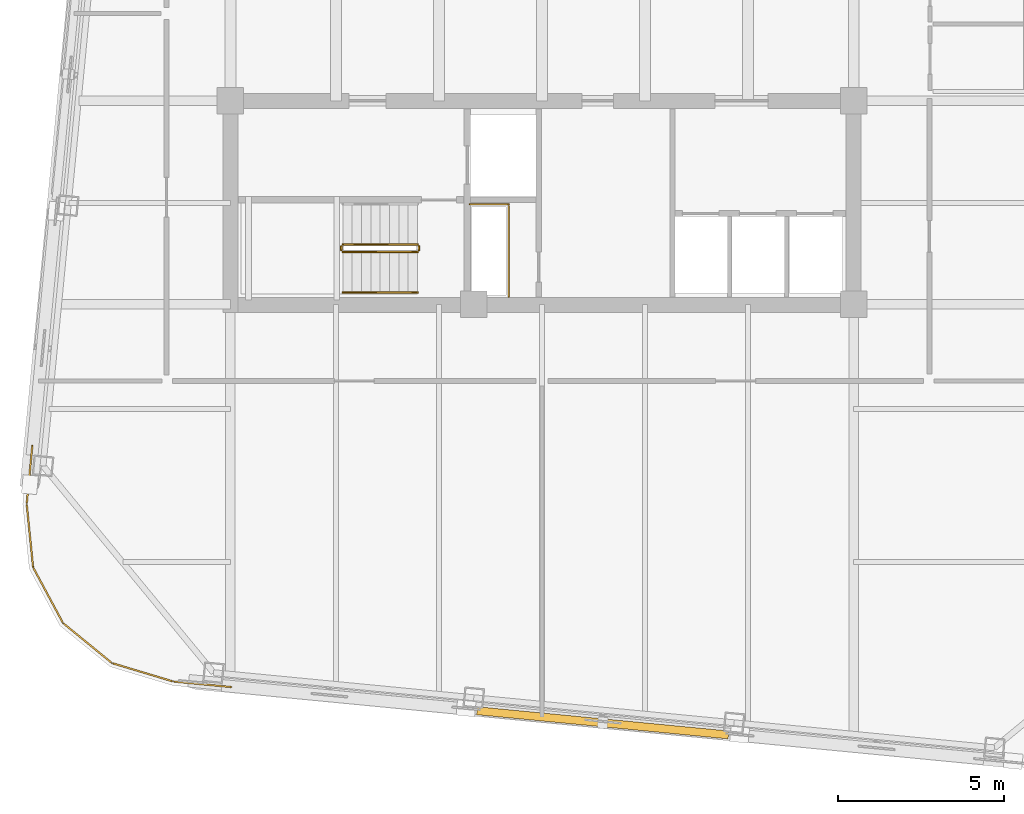
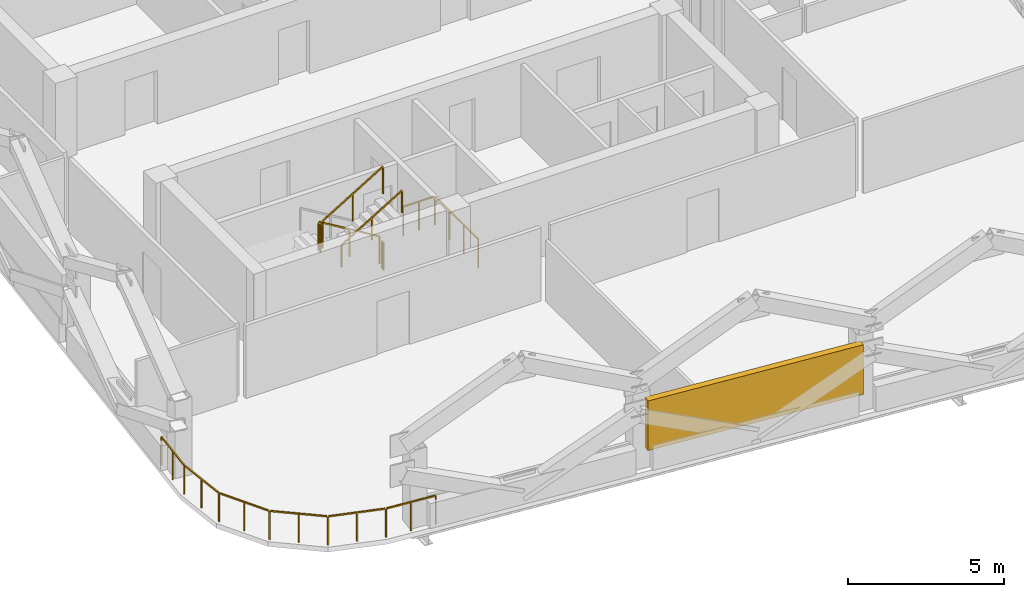
# One storey, part 7 of 10: 7 railings, 1 shading device.
"""IFC4 building model written with IfcOpenShell, lengths in metres."""

from ifc_helpers import new_model, si_unit, direction, frame, origin, origin_2d, place, context, subcontext, project, spatial, rectangle, extrude, material, type_object, element, save


model = new_model("IFC4")

# Units and contexts
model_context = context("Model", 3, precision=1e-05, world=origin(), true_north=direction((0.0, 1.0)))
body_context = subcontext(model_context, "Body", "Model", "MODEL_VIEW")
ifc_project = project(units=[si_unit("LENGTHUNIT", "METRE"), si_unit("AREAUNIT", "SQUARE_METRE"), si_unit("VOLUMEUNIT", "CUBIC_METRE"), si_unit("PLANEANGLEUNIT", "RADIAN"), si_unit("MASSUNIT", "GRAM", prefix="KILO")], contexts=[model_context])

# Site, building, storey
site_placement = place(None, origin())
site = spatial("IfcSite", under=ifc_project, at=site_placement, CompositionType="ELEMENT")
building_placement = place(site_placement, origin())
building = spatial("IfcBuilding", under=site, at=building_placement, Name="Qhalaya Broadcast Tower", CompositionType="ELEMENT")
storey_placement = place(building_placement, frame((0.0, 0.0, 267.25)))
storey = spatial("IfcBuildingStorey", under=building, at=storey_placement, Name="L79", CompositionType="ELEMENT", Elevation=267.25)

# Railings
ifc_material_1 = material(Name="Powder-Coated Galvanised Steel", Category="steel")
railing_type_1 = type_object("IfcRailingType", Name="Stair Wall Handrail 900", PredefinedType="HANDRAIL", material=ifc_material_1)
railing_1_placement = place(storey_placement, frame((-5.989990234375, -8.389892578125, 1.6943359375)))
element("IfcRailing", 1, at=railing_1_placement, inside=storey, type_object=railing_type_1, Name="L79 ST-2 Stair Handrail 2", PredefinedType="HANDRAIL", context=body_context, shape_type="SweptSolid", body=[
    extrude(rectangle(XDim=0.048095703125, YDim=0.048095703125, at=origin_2d()), frame((0.0, 0.0, 0.8759765625), z_axis=(0.855512035549, 0.0, 0.517782924622), x_axis=(0.0, 1.0, 0.0)), (0.0, 0.0, 1.0), 2.618408203125),
    extrude(rectangle(XDim=0.0419921875, YDim=0.0419921875, at=origin_2d()), origin(), (0.0, 0.0, 1.0), 0.849853515625),
    extrude(rectangle(XDim=0.0419921875, YDim=0.0419921875, at=origin_2d()), frame((1.1201171875, 0.0, 0.677734375)), (0.0, 0.0, 1.0), 0.849853515625),
    extrude(rectangle(XDim=0.0419921875, YDim=0.0419921875, at=origin_2d()), frame((2.239990234375, 0.0, 1.355712890625)), (0.0, 0.0, 1.0), 0.849853515625),
])
railing_type_2 = type_object("IfcRailingType", Name="Stair Well & Landing Guardrail 1100", PredefinedType="GUARDRAIL", material=ifc_material_1)
railing_2_placement = place(storey_placement, frame((-1.0, -8.52001953125, 0.0)))
element("IfcRailing", 2, at=railing_2_placement, inside=storey, type_object=railing_type_2, Name="L79 Service Riser Opening Safety Guard SRSR", PredefinedType="GUARDRAIL", context=body_context, shape_type="SweptSolid", body=[
    extrude(rectangle(XDim=0.048095703125, YDim=0.048095703125, at=origin_2d()), frame((0.0, 0.0, 1.1259765625), z_axis=(0.0, 1.0, 0.0), x_axis=(-1.0, 0.0, 0.0)), (0.0, 0.0, 1.0), 2.751220703125),
    extrude(rectangle(XDim=0.048095703125, YDim=0.048095703125, at=origin_2d()), frame((-0.02880859375, 2.780029296875, 1.1259765625), z_axis=(-1.0, 0.0, 0.0), x_axis=(0.0, -1.0, 0.0)), (0.0, 0.0, 1.0), 1.151123046875),
    extrude(rectangle(XDim=0.0419921875, YDim=0.0419921875, at=origin_2d()), origin(), (0.0, 0.0, 1.0), 1.099853515625),
    extrude(rectangle(XDim=0.0419921875, YDim=0.0419921875, at=origin_2d()), frame((0.0, 0.9267578125, 0.0)), (0.0, 0.0, 1.0), 1.099853515625),
    extrude(rectangle(XDim=0.0419921875, YDim=0.0419921875, at=origin_2d()), frame((0.0, 1.853271484375, 0.0)), (0.0, 0.0, 1.0), 1.099853515625),
    extrude(rectangle(XDim=0.0419921875, YDim=0.0419921875, at=origin_2d()), frame((0.0, 2.780029296875, 0.0)), (0.0, 0.0, 1.0), 1.099853515625),
    extrude(rectangle(XDim=0.0419921875, YDim=0.0419921875, at=origin_2d()), frame((-0.58984375, 2.780029296875, 0.0)), (0.0, 0.0, 1.0), 1.099853515625),
    extrude(rectangle(XDim=0.0419921875, YDim=0.0419921875, at=origin_2d()), frame((-1.179931640625, 2.780029296875, 0.0)), (0.0, 0.0, 1.0), 1.099853515625),
])
railing_3_placement = place(storey_placement, frame((-3.75, -6.949951171875, 0.16943359375)))
element("IfcRailing", 3, at=railing_3_placement, inside=storey, type_object=railing_type_2, Name="L79 ST-2 Stair Guard 1", PredefinedType="GUARDRAIL", context=body_context, shape_type="SweptSolid", body=[
    extrude(rectangle(XDim=0.048095703125, YDim=0.048095703125, at=origin_2d()), frame((0.0, 0.0, 1.076171875), z_axis=(-0.855553338991, 0.0, 0.51771467445), x_axis=(0.0, -1.0, 0.0)), (0.0, 0.0, 1.0), 2.6181640625),
    extrude(rectangle(XDim=0.0419921875, YDim=0.0419921875, at=origin_2d()), origin(), (0.0, 0.0, 1.0), 1.050048828125),
    extrude(rectangle(XDim=0.0419921875, YDim=0.0419921875, at=origin_2d()), frame((-1.1201171875, 0.0, 0.677734375)), (0.0, 0.0, 1.0), 1.050048828125),
    extrude(rectangle(XDim=0.0419921875, YDim=0.0419921875, at=origin_2d()), frame((-2.239990234375, 0.0, 1.35546875)), (0.0, 0.0, 1.0), 1.050048828125),
])
railing_4_placement = place(storey_placement, frame((-6.0400390625, -7.0, 1.52490234375)))
element("IfcRailing", 4, at=railing_4_placement, inside=storey, type_object=railing_type_2, Name="L79 ST-2 Stair Guard 2", PredefinedType="GUARDRAIL", context=body_context, shape_type="SweptSolid", body=[
    extrude(rectangle(XDim=0.048095703125, YDim=0.048095703125, at=origin_2d()), frame((0.0, 0.0, 1.076171875), z_axis=(0.0, -1.0, 0.0), x_axis=(1.0, 0.0, 0.0)), (0.0, 0.0, 1.0), 0.1201171875),
    extrude(rectangle(XDim=0.0419921875, YDim=0.0419921875, at=origin_2d()), origin(), (0.0, 0.0, 1.0), 1.050048828125),
    extrude(rectangle(XDim=0.0419921875, YDim=0.0419921875, at=origin_2d()), frame((0.0, -0.1201171875, 0.0)), (0.0, 0.0, 1.0), 1.050048828125),
])
railing_5_placement = place(storey_placement, frame((-5.989990234375, -7.169921875, 1.6943359375)))
element("IfcRailing", 5, at=railing_5_placement, inside=storey, type_object=railing_type_2, Name="L79 ST-2 Stair Guard 3", PredefinedType="GUARDRAIL", context=body_context, shape_type="SweptSolid", body=[
    extrude(rectangle(XDim=0.048095703125, YDim=0.048095703125, at=origin_2d()), frame((0.0, 0.0, 1.076171875), z_axis=(0.855512035549, 0.0, 0.517782924622), x_axis=(0.0, 1.0, 0.0)), (0.0, 0.0, 1.0), 2.618408203125),
    extrude(rectangle(XDim=0.0419921875, YDim=0.0419921875, at=origin_2d()), origin(), (0.0, 0.0, 1.0), 1.050048828125),
    extrude(rectangle(XDim=0.0419921875, YDim=0.0419921875, at=origin_2d()), frame((1.1201171875, 0.0, 0.677734375)), (0.0, 0.0, 1.0), 1.050048828125),
    extrude(rectangle(XDim=0.0419921875, YDim=0.0419921875, at=origin_2d()), frame((2.239990234375, 0.0, 1.355712890625)), (0.0, 0.0, 1.0), 1.050048828125),
])
railing_6_placement = place(storey_placement, frame((-3.699951171875, -7.0, 0.0)))
element("IfcRailing", 6, at=railing_6_placement, inside=storey, type_object=railing_type_2, Name="L79 ST-2 Stair Guard 4", PredefinedType="GUARDRAIL", context=body_context, shape_type="SweptSolid", body=[
    extrude(rectangle(XDim=0.048095703125, YDim=0.048095703125, at=origin_2d()), frame((0.0, 0.0, 1.076171875), z_axis=(0.0, -1.0, 0.0), x_axis=(1.0, 0.0, 0.0)), (0.0, 0.0, 1.0), 0.1201171875),
    extrude(rectangle(XDim=0.0419921875, YDim=0.0419921875, at=origin_2d()), origin(), (0.0, 0.0, 1.0), 1.050048828125),
    extrude(rectangle(XDim=0.0419921875, YDim=0.0419921875, at=origin_2d()), frame((0.0, -0.1201171875, 0.0)), (0.0, 0.0, 1.0), 1.050048828125),
])
railing_type_3 = type_object("IfcRailingType", Name="Terrace, Sky-Pool & Lookout Glass Balustrade 1150", PredefinedType="BALUSTRADE", material=ifc_material_1)
railing_7_placement = place(storey_placement, frame((-9.35400390625, -20.260986328125, 0.0)))
element("IfcRailing", 7, at=railing_7_placement, inside=storey, type_object=railing_type_3, Name="L79 Rounded Corner Perimeter Guard 02", PredefinedType="BALUSTRADE", context=body_context, shape_type="SweptSolid", body=[
    extrude(rectangle(XDim=0.048095703125, YDim=0.048095703125, at=origin_2d()), frame((0.0, 0.0, 1.1259765625), z_axis=(-0.99540189436, 0.09578657894, 0.0), x_axis=(-0.09578657894, -0.99540189436, 0.0)), (0.0, 0.0, 1.0), 1.727294921875),
    extrude(rectangle(XDim=0.048095703125, YDim=0.048095703125, at=origin_2d()), frame((-1.775634765625, 0.176513671875, 1.1259765625), z_axis=(-0.957601447485, 0.288096282124, 0.0), x_axis=(-0.288096282124, -0.957601447485, 0.0)), (0.0, 0.0, 1.0), 1.857421875),
    extrude(rectangle(XDim=0.048095703125, YDim=0.048095703125, at=origin_2d()), frame((-3.6044921875, 0.73828125, 1.1259765625), z_axis=(-0.774357190213, 0.63274871945, 0.0), x_axis=(-0.63274871945, -0.774357190213, 0.0)), (0.0, 0.0, 1.0), 1.845703125),
    extrude(rectangle(XDim=0.048095703125, YDim=0.048095703125, at=origin_2d()), frame((-5.069580078125, 1.94970703125, 1.1259765625), z_axis=(-0.473342342286, 0.880878554058, 0.0), x_axis=(-0.880878554058, -0.473342342286, 0.0)), (0.0, 0.0, 1.0), 1.845458984375),
    extrude(rectangle(XDim=0.048095703125, YDim=0.048095703125, at=origin_2d()), frame((-5.959716796875, 3.629638671875, 1.1259765625), z_axis=(-0.100071682341, 0.994980230152, 0.0), x_axis=(-0.994980230152, -0.100071682341, 0.0)), (0.0, 0.0, 1.0), 1.857421875),
    extrude(rectangle(XDim=0.048095703125, YDim=0.048095703125, at=origin_2d()), frame((-6.145751953125, 5.53515625, 1.1259765625), z_axis=(0.09578657894, 0.99540189436, 0.0), x_axis=(-0.99540189436, 0.09578657894, 0.0)), (0.0, 0.0, 1.0), 1.727294921875),
    extrude(rectangle(XDim=0.0419921875, YDim=0.0419921875, at=origin_2d()), origin(), (0.0, 0.0, 1.0), 1.099853515625),
    extrude(rectangle(XDim=0.0419921875, YDim=0.0419921875, at=origin_2d()), frame((-0.8740234375, 0.083984375, 0.0)), (0.0, 0.0, 1.0), 1.099853515625),
    extrude(rectangle(XDim=0.0419921875, YDim=0.0419921875, at=origin_2d()), frame((-1.748046875, 0.168212890625, 0.0)), (0.0, 0.0, 1.0), 1.099853515625),
    extrude(rectangle(XDim=0.0419921875, YDim=0.0419921875, at=origin_2d()), frame((-2.6650390625, 0.444091796875, 0.0)), (0.0, 0.0, 1.0), 1.099853515625),
    extrude(rectangle(XDim=0.0419921875, YDim=0.0419921875, at=origin_2d()), frame((-3.58203125, 0.719970703125, 0.0)), (0.0, 0.0, 1.0), 1.099853515625),
    extrude(rectangle(XDim=0.0419921875, YDim=0.0419921875, at=origin_2d()), frame((-4.31884765625, 1.322265625, 0.0)), (0.0, 0.0, 1.0), 1.099853515625),
    extrude(rectangle(XDim=0.0419921875, YDim=0.0419921875, at=origin_2d()), frame((-5.055908203125, 1.92431640625, 0.0)), (0.0, 0.0, 1.0), 1.099853515625),
    extrude(rectangle(XDim=0.0419921875, YDim=0.0419921875, at=origin_2d()), frame((-5.50634765625, 2.7626953125, 0.0)), (0.0, 0.0, 1.0), 1.099853515625),
    extrude(rectangle(XDim=0.0419921875, YDim=0.0419921875, at=origin_2d()), frame((-5.956787109375, 3.600830078125, 0.0)), (0.0, 0.0, 1.0), 1.099853515625),
    extrude(rectangle(XDim=0.0419921875, YDim=0.0419921875, at=origin_2d()), frame((-6.052734375, 4.5537109375, 0.0)), (0.0, 0.0, 1.0), 1.099853515625),
    extrude(rectangle(XDim=0.0419921875, YDim=0.0419921875, at=origin_2d()), frame((-6.1484375, 5.50634765625, 0.0)), (0.0, 0.0, 1.0), 1.099853515625),
    extrude(rectangle(XDim=0.0419921875, YDim=0.0419921875, at=origin_2d()), frame((-6.064453125, 6.38037109375, 0.0)), (0.0, 0.0, 1.0), 1.099853515625),
    extrude(rectangle(XDim=0.0419921875, YDim=0.0419921875, at=origin_2d()), frame((-5.980224609375, 7.25439453125, 0.0)), (0.0, 0.0, 1.0), 1.099853515625),
])

# Shading device
ifc_material_2 = material(Name="Fired Architectural Terracotta", Category="masonry")
shading_device_type = type_object("IfcShadingDeviceType", Name="Terracotta Baguette Solar Screen Assembly TBS-01", PredefinedType="USERDEFINED", material=ifc_material_2)
shading_device_placement = place(storey_placement, frame((1.826171875, -21.337646484375, 0.80078125), z_axis=(0.0, 0.0, 1.0), x_axis=(0.995396198367, -0.09584575252, 0.0)))
element("IfcShadingDevice", 8, at=shading_device_placement, inside=storey, type_object=shading_device_type, Name="L79 Fired Terracotta Baguette Screen S", ObjectType="BAGUETTE", PredefinedType="USERDEFINED", context=body_context, shape_type="SweptSolid", body=[
    extrude(rectangle(XDim=7.60009765625, YDim=0.239990234375, at=origin_2d()), origin(), (0.0, 0.0, 1.0), 1.945068359375),
])

save(model, "model.ifc")
